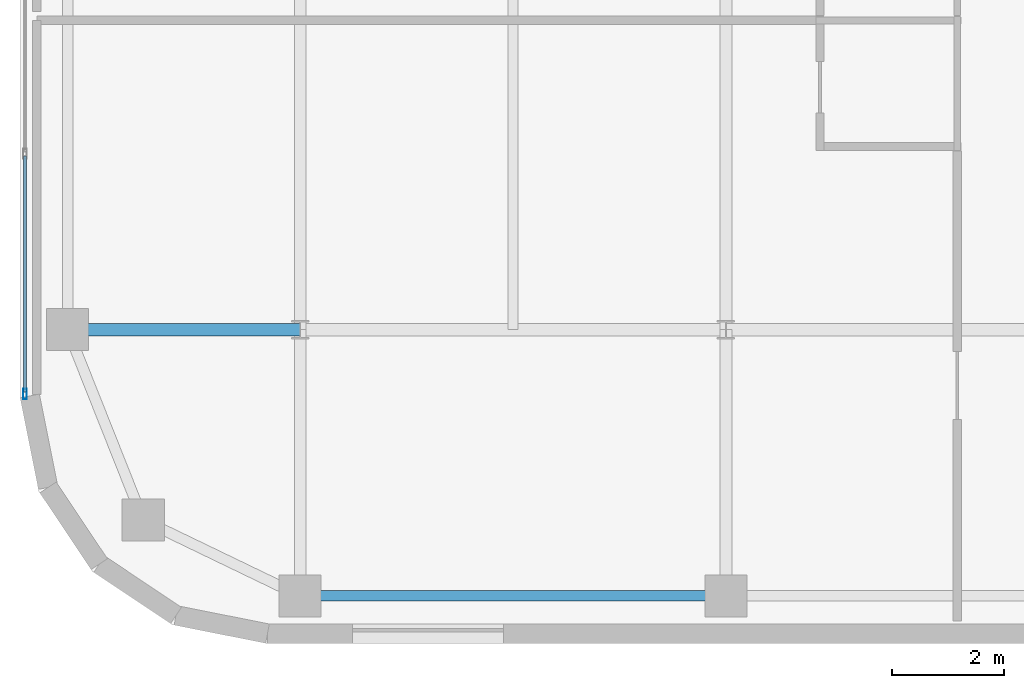
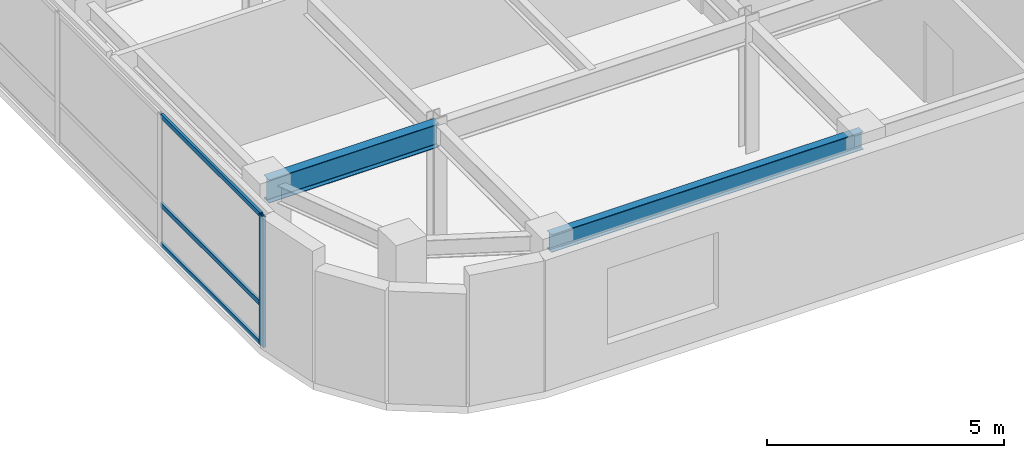
# One storey, part 3 of 19: 4 members, 2 beams, 1 element without a shape of its own.
"""IFC4 building model written with IfcOpenShell, lengths in metres."""

from ifc_helpers import new_model, si_unit, direction, frame, origin, origin_2d, place, context, subcontext, project, spatial, hollow_rectangle, i_section, extrude, source, transform, mapped, material, layer, layer_set, material_profile, profile_set, type_object, type_shapes, element, aggregate, save


model = new_model("IFC4")

# Units and contexts
model_context = context("Model", 3, precision=1e-05, world=origin(), true_north=direction((0.0, 1.0)))
body_context = subcontext(model_context, "Body", "Model", "MODEL_VIEW")
ifc_project = project(units=[si_unit("LENGTHUNIT", "METRE"), si_unit("AREAUNIT", "SQUARE_METRE"), si_unit("VOLUMEUNIT", "CUBIC_METRE"), si_unit("PLANEANGLEUNIT", "RADIAN"), si_unit("MASSUNIT", "GRAM", prefix="KILO")], contexts=[model_context])

# Site, building, storey
site_placement = place(None, origin())
site = spatial("IfcSite", under=ifc_project, at=site_placement, CompositionType="ELEMENT")
building_placement = place(site_placement, origin())
building = spatial("IfcBuilding", under=site, at=building_placement, Name="Tolvann Quenvar Hotel", CompositionType="ELEMENT")
storey_placement = place(building_placement, frame((0.0, 0.0, 223.89990234375)))
storey = spatial("IfcBuildingStorey", under=building, at=storey_placement, Name="L59", CompositionType="ELEMENT", Elevation=223.89990234375)

# Beams
ifc_material_1 = material(Name="Steel Grade 350", Category="steel")
ifc_material_profile_1 = material_profile(ifc_material_1, i_section(OverallWidth=0.22802734375, OverallDepth=0.60205078125, WebThickness=0.010498046875, FlangeThickness=0.014892578125, FilletRadius=0.013916015625, at=origin_2d()), Name="610UB101")
ifc_profile_set_1 = profile_set([ifc_material_profile_1], Name="Steel Grade 350")
beam_type_1 = type_object("IfcBeamType", Name="BM_GIRD_610UB101", PredefinedType="BEAM", material=ifc_profile_set_1)
shared_shape_1 = source(origin(), body_context, "Body", "SweptSolid", [
    extrude(i_section(OverallWidth=0.22802734375, OverallDepth=0.60205078125, WebThickness=0.010498046875, FlangeThickness=0.014892578125, FilletRadius=0.013916015625, at=origin_2d()), origin(), (0.0, 0.0, 1.0), 4.150146484375),
])
type_shapes(beam_type_1, [shared_shape_1])
beam_1_placement = place(storey_placement, frame((3.449951171875, 8.199951171875, 3.069091796875), z_axis=(1.0, 0.0, 0.0), x_axis=(0.0, 1.0, 0.0)))
element("IfcBeam", 1, at=beam_1_placement, inside=storey, type_object=beam_type_1, Name="BM-L59-EW-3-B3-C3", PredefinedType="BEAM", context=body_context, shape_type="MappedRepresentation", body=[
    mapped(shared_shape_1, transform((0.0, 0.0, 0.0), x_axis=(1.0, 0.0, 0.0), y_axis=(0.0, 1.0, 0.0), z_axis=(0.0, 0.0, 1.0), scale=1.0)),
])
ifc_material_profile_2 = material_profile(ifc_material_1, i_section(OverallWidth=0.19091796875, OverallDepth=0.4599609375, WebThickness=0.010009765625, FlangeThickness=0.01611328125, FilletRadius=0.011474609375, at=origin_2d()), Name="460UB82")
ifc_profile_set_2 = profile_set([ifc_material_profile_2], Name="Steel Grade 350")
beam_type_2 = type_object("IfcBeamType", Name="BM_SPAND_460UB82", PredefinedType="SPANDREL", material=ifc_profile_set_2)
shared_shape_2 = source(origin(), body_context, "Body", "SweptSolid", [
    extrude(i_section(OverallWidth=0.19091796875, OverallDepth=0.4599609375, WebThickness=0.010009765625, FlangeThickness=0.01611328125, FilletRadius=0.011474609375, at=origin_2d()), origin(), (0.0, 0.0, 1.0), 7.599853515625),
])
type_shapes(beam_type_2, [shared_shape_2])
beam_2_placement = place(storey_placement, frame((7.60009765625, 3.449951171875, 3.14013671875), z_axis=(1.0, 0.0, 0.0), x_axis=(0.0, 1.0, 0.0)))
element("IfcBeam", 2, at=beam_2_placement, inside=storey, type_object=beam_type_2, Name="BM-L59-EW-2-C2-D2", PredefinedType="SPANDREL", context=body_context, shape_type="MappedRepresentation", body=[
    mapped(shared_shape_2, transform((0.0, 0.0, 0.0), x_axis=(1.0, 0.0, 0.0), y_axis=(0.0, 1.0, 0.0), z_axis=(0.0, 0.0, 1.0), scale=1.0)),
])

# Curtain wall, members
ifc_material_2 = material(Name="Thermally broken anodised architectural aluminium 6063-T6 and laminated low-E glass", Category="aluminium")
ifc_layer = layer(ifc_material_2, 0.179931640625)
ifc_layer_set = layer_set([ifc_layer], Name="Thermally broken anodised architectural aluminium 6063-T6 and laminated low-E glass")
curtain_wall_type = type_object("IfcCurtainWallType", Name="CW_SYS_BAND_04", PredefinedType="USERDEFINED", material=ifc_layer_set)
curtain_wall_placement = place(storey_placement, origin())
curtain_wall = element("IfcCurtainWall", 3, at=curtain_wall_placement, inside=storey, type_object=curtain_wall_type, Name="Curtain Wall CW-BAND-04 (CWR-L59-E19)", ObjectType="UNITISED CURTAIN WALL", PredefinedType="USERDEFINED")
ifc_material_3 = material(Name="Anodised architectural aluminium 6063-T6 framing", Category="aluminium")
ifc_material_profile_3 = material_profile(ifc_material_3, hollow_rectangle(XDim=0.070068359375, YDim=0.179931640625, WallThickness=0.00390625, at=origin_2d()), Name="180x70x4RHS")
ifc_profile_set_3 = profile_set([ifc_material_profile_3], Name="Anodised architectural aluminium 6063-T6 framing")
member_type_1 = type_object("IfcMemberType", Name="CW_MULL_180x70", PredefinedType="MULLION", material=ifc_profile_set_3)
shared_shape_3 = source(origin(), body_context, "Body", "SweptSolid", [
    extrude(hollow_rectangle(XDim=0.070068359375, YDim=0.179931640625, WallThickness=0.00390625, at=origin_2d()), origin(), (0.0, 0.0, 1.0), 3.3701171875),
])
type_shapes(member_type_1, [shared_shape_3])
member_1_placement = place(storey_placement, frame((2.68994140625, 7.05224609375, 0.0), z_axis=(0.0, 0.0, 1.0), x_axis=(1.0, 0.0, 0.0)))
member_1 = element("IfcMember", 4, at=member_1_placement, type_object=member_type_1, Name="CW-BAND-04 mullion 9", PredefinedType="MULLION", context=body_context, shape_type="MappedRepresentation", body=[
    mapped(shared_shape_3, transform((0.0, 0.0, 0.0), x_axis=(1.0, 0.0, 0.0), y_axis=(0.0, 1.0, 0.0), z_axis=(0.0, 0.0, 1.0), scale=1.0)),
])
ifc_material_profile_4 = material_profile(ifc_material_3, hollow_rectangle(XDim=0.06005859375, YDim=0.1201171875, WallThickness=0.00341796875, at=origin_2d()), Name="120x60x3.5RHS")
ifc_profile_set_4 = profile_set([ifc_material_profile_4], Name="Anodised architectural aluminium 6063-T6 framing")
member_type_2 = type_object("IfcMemberType", Name="CW_TRAN_120x60", PredefinedType="USERDEFINED", material=ifc_profile_set_4)
shared_shape_4 = source(origin(), body_context, "Body", "SweptSolid", [
    extrude(hollow_rectangle(XDim=0.06005859375, YDim=0.1201171875, WallThickness=0.00341796875, at=origin_2d()), origin(), (0.0, 0.0, 1.0), 4.2158203125),
])
type_shapes(member_type_2, [shared_shape_4])
member_2_placement = place(storey_placement, frame((2.68994140625, 11.302978515625, 0.030029296875), z_axis=(0.0, -1.0, 0.0), x_axis=(1.0, 0.0, 0.0)))
member_2 = element("IfcMember", 5, at=member_2_placement, type_object=member_type_2, Name="CW-BAND-04 transom 8.1", ObjectType="TRANSOM", PredefinedType="USERDEFINED", context=body_context, shape_type="MappedRepresentation", body=[
    mapped(shared_shape_4, transform((0.0, 0.0, 0.0), x_axis=(1.0, 0.0, 0.0), y_axis=(0.0, 1.0, 0.0), z_axis=(0.0, 0.0, 1.0), scale=1.0)),
])
member_3_placement = place(storey_placement, frame((2.68994140625, 11.302978515625, 1.050048828125), z_axis=(0.0, -1.0, 0.0), x_axis=(1.0, 0.0, 0.0)))
member_3 = element("IfcMember", 6, at=member_3_placement, type_object=member_type_2, Name="CW-BAND-04 transom 8.2", ObjectType="TRANSOM", PredefinedType="USERDEFINED", context=body_context, shape_type="MappedRepresentation", body=[
    mapped(shared_shape_4, transform((0.0, 0.0, 0.0), x_axis=(1.0, 0.0, 0.0), y_axis=(0.0, 1.0, 0.0), z_axis=(0.0, 0.0, 1.0), scale=1.0)),
])
member_4_placement = place(storey_placement, frame((2.68994140625, 11.302978515625, 3.340087890625), z_axis=(0.0, -1.0, 0.0), x_axis=(1.0, 0.0, 0.0)))
member_4 = element("IfcMember", 7, at=member_4_placement, type_object=member_type_2, Name="CW-BAND-04 transom 8.3", ObjectType="TRANSOM", PredefinedType="USERDEFINED", context=body_context, shape_type="MappedRepresentation", body=[
    mapped(shared_shape_4, transform((0.0, 0.0, 0.0), x_axis=(1.0, 0.0, 0.0), y_axis=(0.0, 1.0, 0.0), z_axis=(0.0, 0.0, 1.0), scale=1.0)),
])
aggregate(curtain_wall, [member_1, member_2, member_3, member_4])

save(model, "model.ifc")
